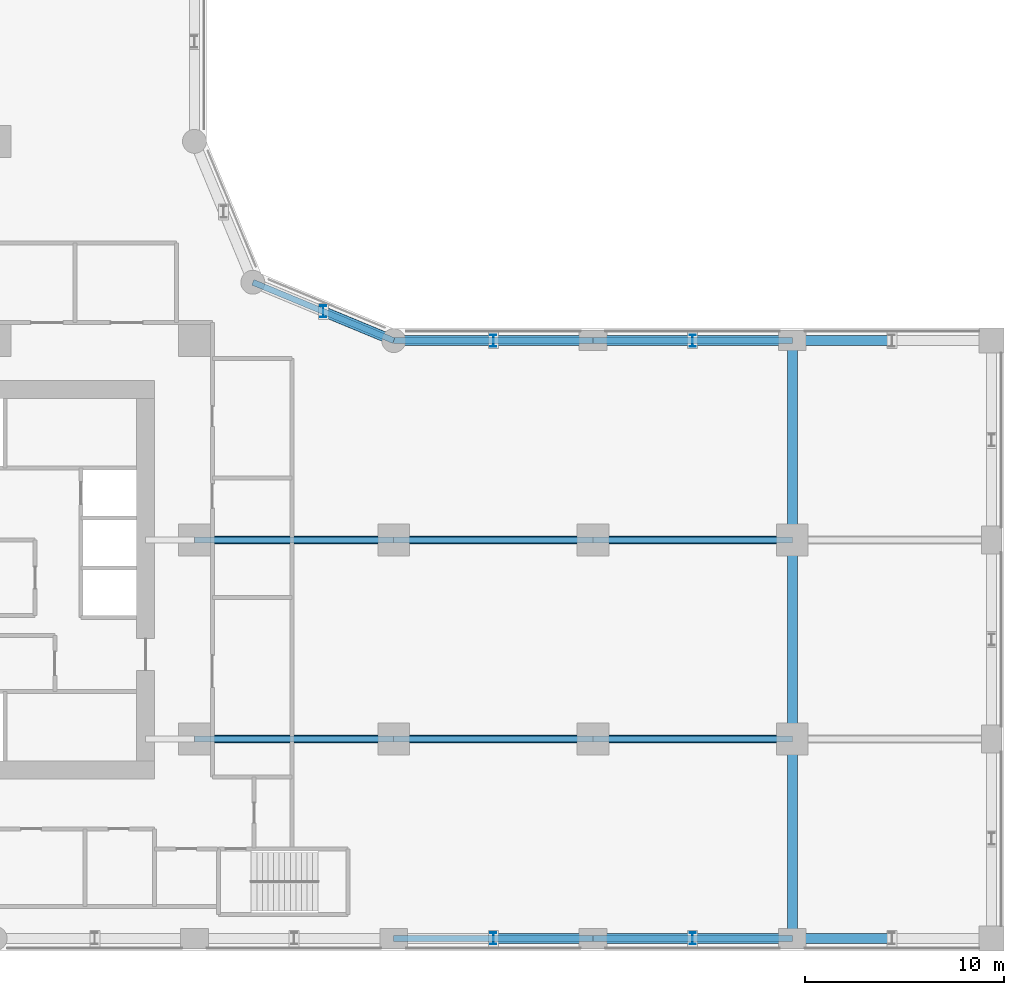
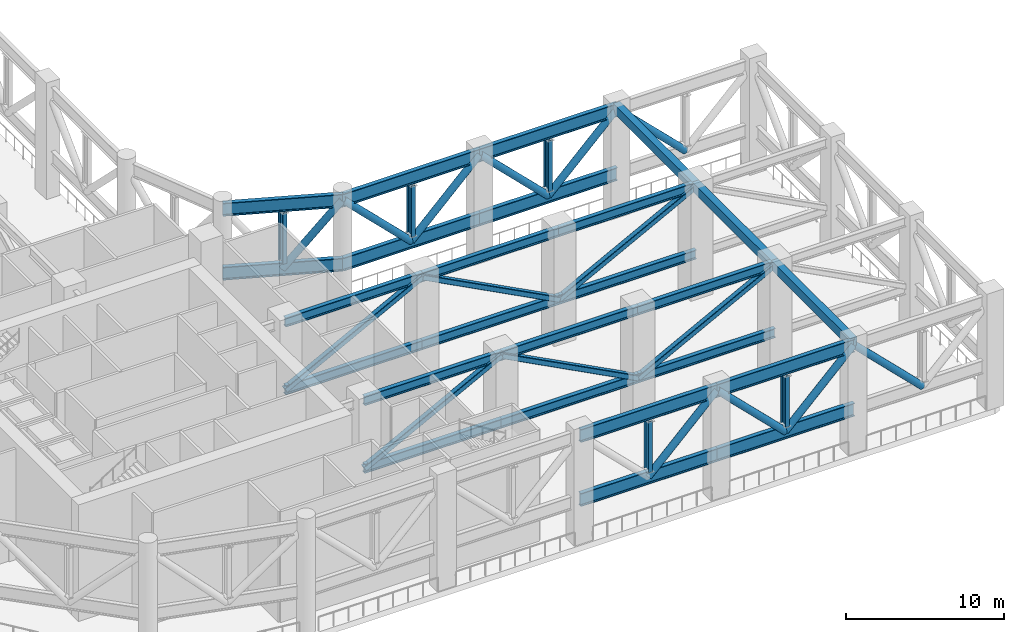
# One storey, part 3 of 14: 43 members, 3 beams.
"""IFC4 building model written with IfcOpenShell, lengths in metres."""

from ifc_helpers import new_model, si_unit, direction, frame, origin, origin_2d, place, context, subcontext, project, spatial, rectangle, hollow_rectangle, hollow_circle, i_section, extrude, material, material_profile, profile_set, type_object, element, save


model = new_model("IFC4")

# Units and contexts
model_context = context("Model", 3, precision=1e-05, world=origin(), true_north=direction((0.0, 1.0)))
body_context = subcontext(model_context, "Body", "Model", "MODEL_VIEW")
ifc_project = project(units=[si_unit("LENGTHUNIT", "METRE"), si_unit("AREAUNIT", "SQUARE_METRE"), si_unit("VOLUMEUNIT", "CUBIC_METRE"), si_unit("PLANEANGLEUNIT", "RADIAN"), si_unit("MASSUNIT", "GRAM", prefix="KILO")], contexts=[model_context])

# Site, building, storey
site_placement = place(None, origin())
site = spatial("IfcSite", under=ifc_project, at=site_placement, CompositionType="ELEMENT")
building_placement = place(site_placement, origin())
building = spatial("IfcBuilding", under=site, at=building_placement, Name="Qaws Garden Tower", CompositionType="ELEMENT")
storey_placement = place(building_placement, frame((0.0, 0.0, 117.300048828125)))
storey = spatial("IfcBuildingStorey", under=building, at=storey_placement, Name="L29", CompositionType="ELEMENT", Elevation=117.300048828125)

# Members
ifc_material_1 = material(Name="Steel S355", Category="steel")
ifc_material_profile_1 = material_profile(ifc_material_1, i_section(OverallWidth=0.302001953125, OverallDepth=1.008056640625, WebThickness=0.02099609375, FlangeThickness=0.0400390625, FilletRadius=0.030029296875, at=origin_2d()), Name="HEM 1000")
ifc_profile_set_1 = profile_set([ifc_material_profile_1], Name="Steel S355")
member_type_1 = type_object("IfcMemberType", Name="Belt chord HEM 1000", PredefinedType="CHORD", material=ifc_profile_set_1)
for number, where, z_axis, x_axis, name in (
    (1, (40.0, 0.0, 8.0458984375), (1.0, 0.0, 0.0), (0.0, 1.0, 0.0), "Belt truss top chord 3"),
    (2, (40.0, 0.0, 3.10400390625), (1.0, 0.0, 0.0), (0.0, 1.0, 0.0), "Belt truss bottom chord 3"),
    (3, (50.0, 0.0, 8.0458984375), (1.0, 0.0, 0.0), (0.0, 1.0, 0.0), "Belt truss top chord 4"),
    (4, (50.0, 0.0, 3.10400390625), (1.0, 0.0, 0.0), (0.0, 1.0, 0.0), "Belt truss bottom chord 4"),
    (5, (60.0, 30.0, 8.0458984375), (-1.0, 0.0, 0.0), (0.0, -1.0, 0.0), "Belt truss top chord 10"),
    (6, (60.0, 30.0, 3.10400390625), (-1.0, 0.0, 0.0), (0.0, -1.0, 0.0), "Belt truss bottom chord 10"),
    (7, (50.0, 30.0, 8.0458984375), (-1.0, 0.0, 0.0), (0.0, -1.0, 0.0), "Belt truss top chord 11"),
    (8, (50.0, 30.0, 3.10400390625), (-1.0, 0.0, 0.0), (0.0, -1.0, 0.0), "Belt truss bottom chord 11"),
):
    element("IfcMember", number, at=place(storey_placement, frame(where, z_axis=z_axis, x_axis=x_axis)), inside=storey, type_object=member_type_1, Name=name, PredefinedType="CHORD", context=body_context, shape_type="SweptSolid", body=[
        extrude(i_section(OverallWidth=0.302001953125, OverallDepth=1.008056640625, WebThickness=0.02099609375, FlangeThickness=0.0400390625, FilletRadius=0.030029296875, at=origin_2d()), origin(), (0.0, 0.0, 1.0), 10.0),
    ])
for number, where, z_axis, x_axis, name in (
    (9, (40.0, 30.0, 8.0458984375), (-0.923878037141, 0.382687042488, 0.0), (-0.382687042488, -0.923878037141, 0.0), "Belt truss top chord 12"),
    (10, (40.0, 30.0, 3.10400390625), (-0.923878037141, 0.382687042488, 0.0), (-0.382687042488, -0.923878037141, 0.0), "Belt truss bottom chord 12"),
):
    element("IfcMember", number, at=place(storey_placement, frame(where, z_axis=z_axis, x_axis=x_axis)), inside=storey, type_object=member_type_1, Name=name, PredefinedType="CHORD", context=body_context, shape_type="SweptSolid", body=[
        extrude(i_section(OverallWidth=0.302001953125, OverallDepth=1.008056640625, WebThickness=0.02099609375, FlangeThickness=0.0400390625, FilletRadius=0.030029296875, at=origin_2d()), origin(), (0.0, 0.0, 1.0), 7.653564453125),
    ])
ifc_material_2 = material(Name="Steel S355", Category="steel")
ifc_material_profile_2 = material_profile(ifc_material_2, hollow_circle(Radius=0.25390625, WallThickness=0.02490234375, at=origin_2d()), Name="CHS 508x25")
ifc_profile_set_2 = profile_set([ifc_material_profile_2], Name="Steel S355")
member_type_2 = type_object("IfcMemberType", Name="Belt diagonal CHS 508x25", PredefinedType="BRACE", material=ifc_profile_set_2)
for number, where, z_axis, x_axis, name in (
    (11, (45.0, 0.0, 3.10400390625), (0.711227324435, 0.0, 0.702962085021), (0.0, 1.0, 0.0), "Belt truss diagonal 3b"),
    (12, (50.0, 0.0, 8.0458984375), (0.711227324435, 0.0, -0.702962085021), (0.0, 1.0, 0.0), "Belt truss diagonal 4a"),
    (13, (55.0, 0.0, 3.10400390625), (0.711227324435, 0.0, 0.702962085021), (0.0, 1.0, 0.0), "Belt truss diagonal 4b"),
    (14, (60.0, 0.0, 8.0458984375), (0.711227324435, 0.0, -0.702962085021), (0.0, 1.0, 0.0), "Belt truss diagonal 5a"),
    (15, (65.0, 30.0, 3.10400390625), (-0.711227324435, 0.0, 0.702962085021), (0.0, -1.0, 0.0), "Belt truss diagonal 9b"),
    (16, (60.0, 30.0, 8.0458984375), (-0.711227324435, 0.0, -0.702962085021), (0.0, -1.0, 0.0), "Belt truss diagonal 10a"),
    (17, (55.0, 30.0, 3.10400390625), (-0.711227324435, 0.0, 0.702962085021), (0.0, -1.0, 0.0), "Belt truss diagonal 10b"),
    (18, (50.0, 30.0, 8.0458984375), (-0.711227324435, 0.0, -0.702962085021), (0.0, -1.0, 0.0), "Belt truss diagonal 11a"),
    (19, (45.0, 30.0, 3.10400390625), (-0.711227324435, 0.0, 0.702962085021), (0.0, -1.0, 0.0), "Belt truss diagonal 11b"),
):
    element("IfcMember", number, at=place(storey_placement, frame(where, z_axis=z_axis, x_axis=x_axis)), inside=storey, type_object=member_type_2, Name=name, PredefinedType="BRACE", context=body_context, shape_type="SweptSolid", body=[
        extrude(hollow_circle(Radius=0.25390625, WallThickness=0.02490234375, at=origin_2d()), origin(), (0.0, 0.0, 1.0), 7.030029296875),
    ])
member_1_placement = place(storey_placement, frame((40.0, 30.0, 8.0458984375), z_axis=(-0.565667352436, 0.234282059102, -0.79065312443), x_axis=(-0.382648537851, -0.92389398552, 0.0)))
element("IfcMember", 20, at=member_1_placement, inside=storey, type_object=member_type_2, Name="Belt truss diagonal 12a", PredefinedType="BRACE", context=body_context, shape_type="SweptSolid", body=[
    extrude(hollow_circle(Radius=0.25390625, WallThickness=0.02490234375, at=origin_2d()), origin(), (0.0, 0.0, 1.0), 6.25048828125),
])
ifc_material_3 = material(Name="Steel S355", Category="steel")
ifc_material_profile_3 = material_profile(ifc_material_3, i_section(OverallWidth=0.300048828125, OverallDepth=0.60009765625, WebThickness=0.015380859375, FlangeThickness=0.030029296875, FilletRadius=0.027099609375, at=origin_2d()), Name="HEB 600")
ifc_profile_set_3 = profile_set([ifc_material_profile_3], Name="Steel S355")
member_type_3 = type_object("IfcMemberType", Name="Belt post HEB 600", PredefinedType="POST", material=ifc_profile_set_3)
member_2_placement = place(storey_placement, frame((45.0, 0.0, 3.60791015625), z_axis=(0.0, 0.0, 1.0), x_axis=(1.0, 0.0, 0.0)))
element("IfcMember", 21, at=member_2_placement, inside=storey, type_object=member_type_3, Name="Belt truss post 3", PredefinedType="POST", context=body_context, shape_type="SweptSolid", body=[
    extrude(i_section(OverallWidth=0.300048828125, OverallDepth=0.60009765625, WebThickness=0.015380859375, FlangeThickness=0.030029296875, FilletRadius=0.027099609375, at=origin_2d()), origin(), (0.0, 0.0, 1.0), 3.93408203125),
])
member_3_placement = place(storey_placement, frame((55.0, 0.0, 3.60791015625), z_axis=(0.0, 0.0, 1.0), x_axis=(1.0, 0.0, 0.0)))
element("IfcMember", 22, at=member_3_placement, inside=storey, type_object=member_type_3, Name="Belt truss post 4", PredefinedType="POST", context=body_context, shape_type="SweptSolid", body=[
    extrude(i_section(OverallWidth=0.300048828125, OverallDepth=0.60009765625, WebThickness=0.015380859375, FlangeThickness=0.030029296875, FilletRadius=0.027099609375, at=origin_2d()), origin(), (0.0, 0.0, 1.0), 3.93408203125),
])
member_4_placement = place(storey_placement, frame((55.0, 30.0, 3.60791015625), z_axis=(0.0, 0.0, 1.0), x_axis=(1.0, 0.0, 0.0)))
element("IfcMember", 23, at=member_4_placement, inside=storey, type_object=member_type_3, Name="Belt truss post 10", PredefinedType="POST", context=body_context, shape_type="SweptSolid", body=[
    extrude(i_section(OverallWidth=0.300048828125, OverallDepth=0.60009765625, WebThickness=0.015380859375, FlangeThickness=0.030029296875, FilletRadius=0.027099609375, at=origin_2d()), origin(), (0.0, 0.0, 1.0), 3.93408203125),
])
member_5_placement = place(storey_placement, frame((45.0, 30.0, 3.60791015625), z_axis=(0.0, 0.0, 1.0), x_axis=(1.0, 0.0, 0.0)))
element("IfcMember", 24, at=member_5_placement, inside=storey, type_object=member_type_3, Name="Belt truss post 11", PredefinedType="POST", context=body_context, shape_type="SweptSolid", body=[
    extrude(i_section(OverallWidth=0.300048828125, OverallDepth=0.60009765625, WebThickness=0.015380859375, FlangeThickness=0.030029296875, FilletRadius=0.027099609375, at=origin_2d()), origin(), (0.0, 0.0, 1.0), 3.93408203125),
])
member_6_placement = place(storey_placement, frame((36.46435546875, 31.46435546875, 3.60791015625), z_axis=(0.0, 0.0, 1.0), x_axis=(1.0, 0.0, 0.0)))
element("IfcMember", 25, at=member_6_placement, inside=storey, type_object=member_type_3, Name="Belt truss post 12", PredefinedType="POST", context=body_context, shape_type="SweptSolid", body=[
    extrude(i_section(OverallWidth=0.300048828125, OverallDepth=0.60009765625, WebThickness=0.015380859375, FlangeThickness=0.030029296875, FilletRadius=0.027099609375, at=origin_2d()), origin(), (0.0, 0.0, 1.0), 3.93408203125),
])
ifc_material_4 = material(Name="Steel S355", Category="steel")
ifc_material_profile_4 = material_profile(ifc_material_4, i_section(OverallWidth=0.303955078125, OverallDepth=0.716064453125, WebThickness=0.02099609375, FlangeThickness=0.0400390625, FilletRadius=0.027099609375, at=origin_2d()), Name="HEM 700")
ifc_profile_set_4 = profile_set([ifc_material_profile_4], Name="Steel S355")
member_type_4 = type_object("IfcMemberType", Name="Outrigger chord HEM 700", PredefinedType="CHORD", material=ifc_profile_set_4)
for number, where, z_axis, x_axis, name in (
    (26, (30.0, 10.0, 8.19189453125), (1.0, 0.0, 0.0), (0.0, 1.0, 0.0), "Outrigger 1 top chord 2"),
    (27, (30.0, 10.0, 2.9580078125), (1.0, 0.0, 0.0), (0.0, 1.0, 0.0), "Outrigger 1 bottom chord 2"),
    (28, (40.0, 10.0, 8.19189453125), (1.0, 0.0, 0.0), (0.0, 1.0, 0.0), "Outrigger 1 top chord 3"),
    (29, (40.0, 10.0, 2.9580078125), (1.0, 0.0, 0.0), (0.0, 1.0, 0.0), "Outrigger 1 bottom chord 3"),
    (30, (50.0, 10.0, 8.19189453125), (1.0, 0.0, 0.0), (0.0, 1.0, 0.0), "Outrigger 1 top chord 4"),
    (31, (50.0, 10.0, 2.9580078125), (1.0, 0.0, 0.0), (0.0, 1.0, 0.0), "Outrigger 1 bottom chord 4"),
    (32, (30.0, 20.0, 8.19189453125), (1.0, 0.0, 0.0), (0.0, 1.0, 0.0), "Outrigger 2 top chord 2"),
    (33, (30.0, 20.0, 2.9580078125), (1.0, 0.0, 0.0), (0.0, 1.0, 0.0), "Outrigger 2 bottom chord 2"),
    (34, (40.0, 20.0, 8.19189453125), (1.0, 0.0, 0.0), (0.0, 1.0, 0.0), "Outrigger 2 top chord 3"),
    (35, (40.0, 20.0, 2.9580078125), (1.0, 0.0, 0.0), (0.0, 1.0, 0.0), "Outrigger 2 bottom chord 3"),
    (36, (50.0, 20.0, 8.19189453125), (1.0, 0.0, 0.0), (0.0, 1.0, 0.0), "Outrigger 2 top chord 4"),
    (37, (50.0, 20.0, 2.9580078125), (1.0, 0.0, 0.0), (0.0, 1.0, 0.0), "Outrigger 2 bottom chord 4"),
):
    element("IfcMember", number, at=place(storey_placement, frame(where, z_axis=z_axis, x_axis=x_axis)), inside=storey, type_object=member_type_4, Name=name, PredefinedType="CHORD", context=body_context, shape_type="SweptSolid", body=[
        extrude(i_section(OverallWidth=0.303955078125, OverallDepth=0.716064453125, WebThickness=0.02099609375, FlangeThickness=0.0400390625, FilletRadius=0.027099609375, at=origin_2d()), origin(), (0.0, 0.0, 1.0), 10.0),
    ])
ifc_material_5 = material(Name="Steel S355", Category="steel")
ifc_material_profile_5 = material_profile(ifc_material_5, hollow_rectangle(XDim=0.39990234375, YDim=0.39990234375, WallThickness=0.02490234375, InnerFilletRadius=0.03759765625, OuterFilletRadius=0.0625, at=origin_2d()), Name="SHS 400x400x25")
ifc_profile_set_5 = profile_set([ifc_material_profile_5], Name="Steel S355")
member_type_5 = type_object("IfcMemberType", Name="Outrigger diagonal SHS 400x400x25", PredefinedType="BRACE", material=ifc_profile_set_5)
for number, where, z_axis, x_axis, name in (
    (38, (30.0, 10.0, 2.9580078125), (0.885984747812, 0.0, 0.463714380459), (0.0, 1.0, 0.0), "Outrigger 1 diagonal 2"),
    (39, (40.0, 10.0, 8.19189453125), (0.885984747812, 0.0, -0.463714380459), (0.0, 1.0, 0.0), "Outrigger 1 diagonal 3"),
    (40, (50.0, 10.0, 2.9580078125), (0.885984747812, 0.0, 0.463714380459), (0.0, 1.0, 0.0), "Outrigger 1 diagonal 4"),
    (41, (30.0, 20.0, 2.9580078125), (0.885984747812, 0.0, 0.463714380459), (0.0, 1.0, 0.0), "Outrigger 2 diagonal 2"),
    (42, (40.0, 20.0, 8.19189453125), (0.885984747812, 0.0, -0.463714380459), (0.0, 1.0, 0.0), "Outrigger 2 diagonal 3"),
    (43, (50.0, 20.0, 2.9580078125), (0.885984747812, 0.0, 0.463714380459), (0.0, 1.0, 0.0), "Outrigger 2 diagonal 4"),
):
    element("IfcMember", number, at=place(storey_placement, frame(where, z_axis=z_axis, x_axis=x_axis)), inside=storey, type_object=member_type_5, Name=name, PredefinedType="BRACE", context=body_context, shape_type="SweptSolid", body=[
        extrude(hollow_rectangle(XDim=0.39990234375, YDim=0.39990234375, WallThickness=0.02490234375, InnerFilletRadius=0.03759765625, OuterFilletRadius=0.0625, at=origin_2d()), origin(), (0.0, 0.0, 1.0), 11.286865234375),
    ])

# Beams
ifc_material_6 = material(Name="Concrete C45", Category="concrete")
ifc_material_profile_6 = material_profile(ifc_material_6, rectangle(XDim=0.5, YDim=0.699951171875, at=origin_2d()), Name="RC 500x700")
ifc_profile_set_6 = profile_set([ifc_material_profile_6], Name="Concrete C45")
beam_type = type_object("IfcBeamType", Name="Spandrel beam RC 500x700 C45", PredefinedType="SPANDREL", material=ifc_profile_set_6)
for number, where, z_axis, x_axis, name in (
    (44, (60.0, 0.0, 8.199951171875), (0.0, 1.0, 0.0), (-1.0, 0.0, 0.0), "Spandrel beam L29-001"),
    (45, (60.0, 10.0, 8.199951171875), (0.0, 1.0, 0.0), (-1.0, 0.0, 0.0), "Spandrel beam L29-002"),
    (46, (60.0, 20.0, 8.199951171875), (0.0, 1.0, 0.0), (-1.0, 0.0, 0.0), "Spandrel beam L29-003"),
):
    element("IfcBeam", number, at=place(storey_placement, frame(where, z_axis=z_axis, x_axis=x_axis)), inside=storey, type_object=beam_type, Name=name, PredefinedType="SPANDREL", context=body_context, shape_type="SweptSolid", body=[
        extrude(rectangle(XDim=0.5, YDim=0.699951171875, at=origin_2d()), origin(), (0.0, 0.0, 1.0), 10.0),
    ])

save(model, "model.ifc")
